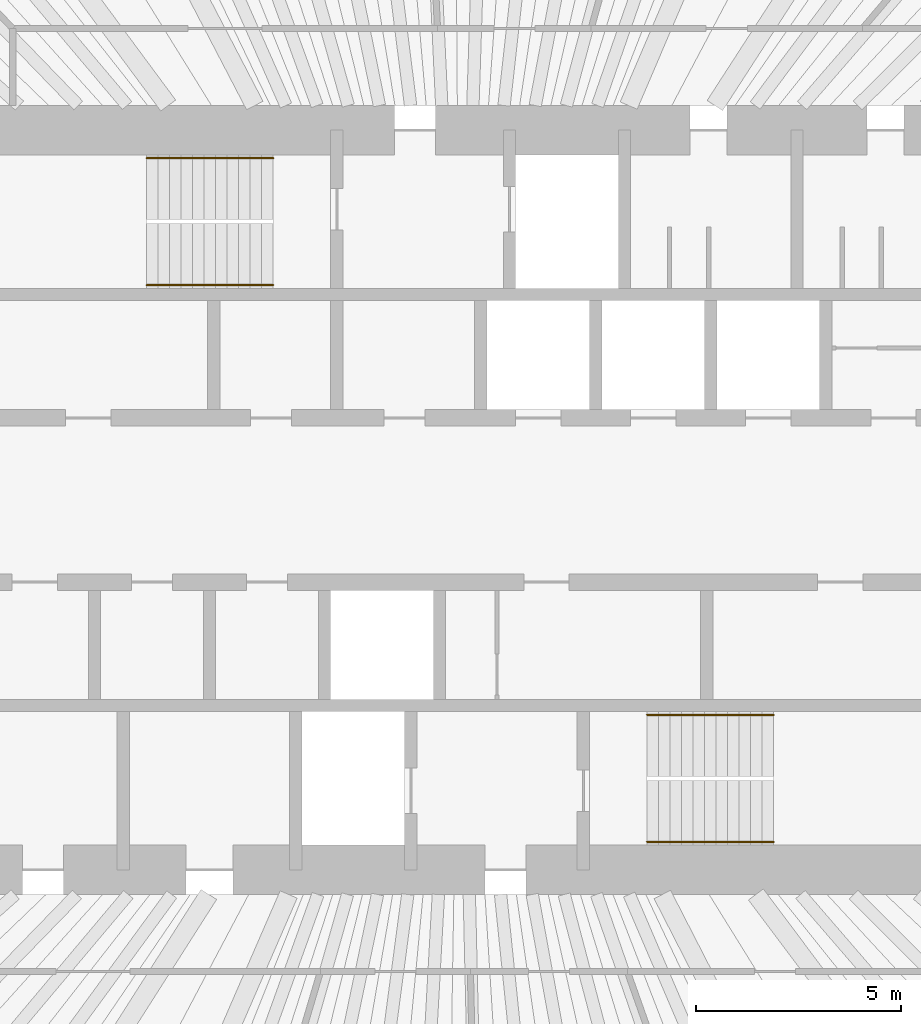
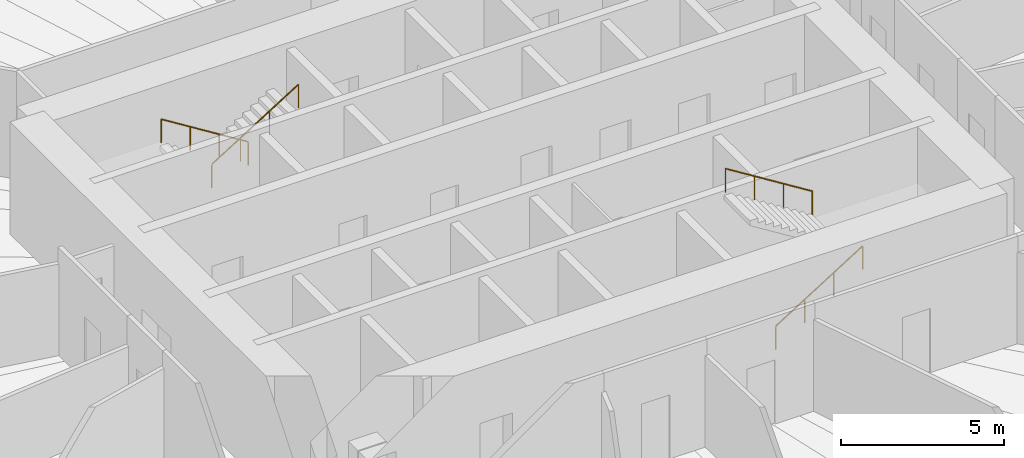
# One storey, part 13 of 13: 4 railings.
"""IFC4 building model written with IfcOpenShell, lengths in metres."""

from ifc_helpers import new_model, si_unit, direction, frame, origin, origin_2d, place, context, subcontext, project, spatial, circle, extrude, material, type_object, element, save


model = new_model("IFC4")

# Units and contexts
model_context = context("Model", 3, precision=1e-05, world=origin(), true_north=direction((0.0, 1.0)))
body_context = subcontext(model_context, "Body", "Model", "MODEL_VIEW")
ifc_project = project(units=[si_unit("LENGTHUNIT", "METRE"), si_unit("AREAUNIT", "SQUARE_METRE"), si_unit("VOLUMEUNIT", "CUBIC_METRE"), si_unit("PLANEANGLEUNIT", "RADIAN"), si_unit("MASSUNIT", "GRAM", prefix="KILO")], contexts=[model_context])

# Site, building, storey
site_placement = place(None, origin())
site = spatial("IfcSite", under=ifc_project, at=site_placement, CompositionType="ELEMENT")
building_placement = place(site_placement, origin())
building = spatial("IfcBuilding", under=site, at=building_placement, Name="Qingtian Harvest Tower", CompositionType="ELEMENT")
storey_placement = place(building_placement, frame((0.0, 0.0, 205.60009765625)))
storey = spatial("IfcBuildingStorey", under=building, at=storey_placement, Name="L44", CompositionType="ELEMENT", Elevation=205.60009765625)

# Railings
ifc_material = material(Name="Stainless steel handrail", Category="steel")
railing_type = type_object("IfcRailingType", Name="Handrail HR1", PredefinedType="HANDRAIL", material=ifc_material)
railing_1_placement = place(storey_placement, frame((-4.550048828125, 8.320068359375, 0.1748046875)))
element("IfcRailing", 1, at=railing_1_placement, inside=storey, type_object=railing_type, Name="Handrail HR1 S1 flight 1", PredefinedType="HANDRAIL", context=body_context, shape_type="SweptSolid", body=[
    extrude(circle(Radius=0.02392578125, at=origin_2d()), frame((0.0, 0.0, 0.8759765625), z_axis=(-0.847979421464, 0.0, 0.530029150871), x_axis=(0.0, -1.0, 0.0)), (0.0, 0.0, 1.0), 3.632080078125),
    extrude(circle(Radius=0.02099609375, at=origin_2d()), origin(), (0.0, 0.0, 1.0), 0.851806640625),
    extrude(circle(Radius=0.02099609375, at=origin_2d()), frame((-1.026611328125, 0.0, 0.6416015625)), (0.0, 0.0, 1.0), 0.851806640625),
    extrude(circle(Radius=0.02099609375, at=origin_2d()), frame((-2.05322265625, 0.0, 1.283447265625)), (0.0, 0.0, 1.0), 0.851806640625),
    extrude(circle(Radius=0.02099609375, at=origin_2d()), frame((-3.079833984375, 0.0, 1.925048828125)), (0.0, 0.0, 1.0), 0.851806640625),
])
for number, where, name in (
    (2, (-7.6298828125, 5.22998046875, 2.27490234375), "Handrail HR1 S1 flight 2"),
    (3, (4.550048828125, -8.320068359375, 0.1748046875), "Handrail HR1 S2 flight 1"),
):
    element("IfcRailing", number, at=place(storey_placement, frame(where)), inside=storey, type_object=railing_type, Name=name, PredefinedType="HANDRAIL", context=body_context, shape_type="SweptSolid", body=[
        extrude(circle(Radius=0.02392578125, at=origin_2d()), frame((0.0, 0.0, 0.8759765625), z_axis=(0.847979421464, 0.0, 0.530029150871), x_axis=(0.0, 1.0, 0.0)), (0.0, 0.0, 1.0), 3.632080078125),
        extrude(circle(Radius=0.02099609375, at=origin_2d()), origin(), (0.0, 0.0, 1.0), 0.851806640625),
        extrude(circle(Radius=0.02099609375, at=origin_2d()), frame((1.026611328125, 0.0, 0.6416015625)), (0.0, 0.0, 1.0), 0.851806640625),
        extrude(circle(Radius=0.02099609375, at=origin_2d()), frame((2.05322265625, 0.0, 1.283447265625)), (0.0, 0.0, 1.0), 0.851806640625),
        extrude(circle(Radius=0.02099609375, at=origin_2d()), frame((3.079833984375, 0.0, 1.925048828125)), (0.0, 0.0, 1.0), 0.851806640625),
    ])
railing_2_placement = place(storey_placement, frame((7.6298828125, -5.22998046875, 2.27490234375)))
element("IfcRailing", 4, at=railing_2_placement, inside=storey, type_object=railing_type, Name="Handrail HR1 S2 flight 2", PredefinedType="HANDRAIL", context=body_context, shape_type="SweptSolid", body=[
    extrude(circle(Radius=0.02392578125, at=origin_2d()), frame((0.0, 0.0, 0.8759765625), z_axis=(-0.847979421464, 0.0, 0.530029150871), x_axis=(0.0, -1.0, 0.0)), (0.0, 0.0, 1.0), 3.632080078125),
    extrude(circle(Radius=0.02099609375, at=origin_2d()), origin(), (0.0, 0.0, 1.0), 0.851806640625),
    extrude(circle(Radius=0.02099609375, at=origin_2d()), frame((-1.026611328125, 0.0, 0.6416015625)), (0.0, 0.0, 1.0), 0.851806640625),
    extrude(circle(Radius=0.02099609375, at=origin_2d()), frame((-2.05322265625, 0.0, 1.283447265625)), (0.0, 0.0, 1.0), 0.851806640625),
    extrude(circle(Radius=0.02099609375, at=origin_2d()), frame((-3.079833984375, 0.0, 1.925048828125)), (0.0, 0.0, 1.0), 0.851806640625),
])

save(model, "model.ifc")
